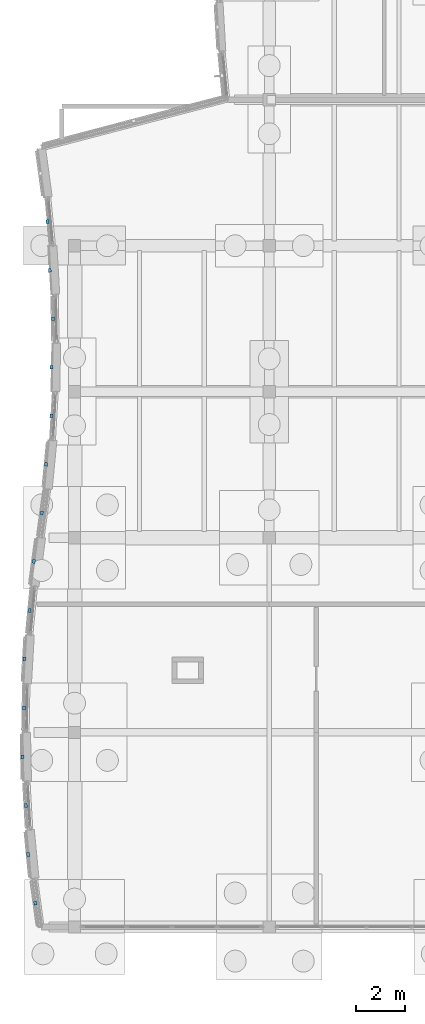
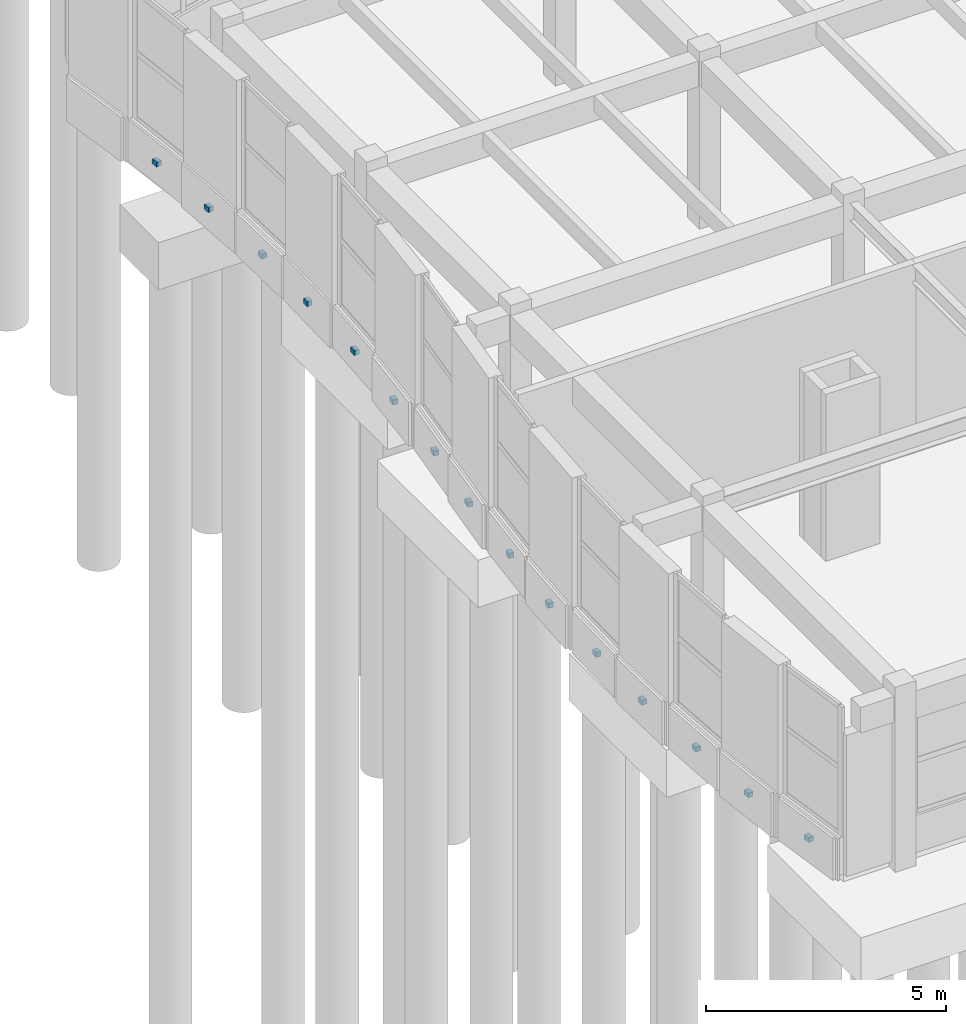
# One storey, part 74 of 99: 15 discrete accessories.
"""IFC4 building model written with IfcOpenShell, lengths in metres."""

import ifcopenshell
import ifcopenshell.guid

model = None  # the IFC model being written
_history = None  # IfcOwnerHistory: only IFC2X3 demands one
_inside = {}  # id of a spatial element -> (the spatial element, [elements in it])
_under = {}  # id of a project, library or spatial element -> (it, [spatial elements below it])
_declared = {}  # id of a project -> (the project, [libraries it declares])
_typed = {}  # id of a type object -> (the type object, [elements of that type])
_made_of = {}  # id of a material, layer set ... -> (it, [elements and type objects made of it])


def new_model(schema):
    """Start an empty IFC model of exactly this schema.

    Asked for "IFC4X3", IfcOpenShell would pick the latest addendum, in which some entities
    have other attributes; the version numbers below select the first issue.
    IFC2X3 requires an IfcOwnerHistory on every rooted entity: one is made here for all.
    """
    global model, _history
    if schema == "IFC4X3":
        model = ifcopenshell.file(schema_version=(4, 3, 0, 0))
    else:
        model = ifcopenshell.file(schema=schema)
    _inside.clear()
    _under.clear()
    _declared.clear()
    _typed.clear()
    _made_of.clear()
    _history = None
    if model.schema == "IFC2X3":
        org = make("IfcOrganization", Name="unknown")
        user = make(
            "IfcPersonAndOrganization",
            ThePerson=make("IfcPerson", FamilyName="unknown"),
            TheOrganization=org,
        )
        app = make(
            "IfcApplication",
            ApplicationDeveloper=org,
            Version="unknown",
            ApplicationFullName="unknown",
            ApplicationIdentifier="unknown",
        )
        _history = make(
            "IfcOwnerHistory",
            OwningUser=user,
            OwningApplication=app,
            ChangeAction="ADDED",
            CreationDate=0,
        )
    return model


def make(cls, **values):
    """One entity of the class cls with the attributes given. An attribute that is None is left unset."""
    return model.create_entity(
        cls, **{name: value for name, value in values.items() if value is not None}
    )


def rooted(cls, **values):
    """An entity with a GlobalId (a new one), such as an element, a storey or a relation."""
    return make(cls, GlobalId=ifcopenshell.guid.new(), OwnerHistory=_history, **values)


def si_unit(unit_type, name, prefix=None):
    """IfcSIUnit, for example si_unit("LENGTHUNIT", "METRE", prefix="MILLI")."""
    return make("IfcSIUnit", UnitType=unit_type, Prefix=prefix, Name=name)


def assignment(units):
    """IfcUnitAssignment: the units of a project."""
    return None if units is None else make("IfcUnitAssignment", Units=units)


def point(xyz):
    """IfcCartesianPoint."""
    return None if xyz is None else make("IfcCartesianPoint", Coordinates=xyz)


def direction(xyz):
    """IfcDirection."""
    return None if xyz is None else make("IfcDirection", DirectionRatios=xyz)


def frame(location, z_axis=None, x_axis=None):
    """IfcAxis2Placement3D, a coordinate frame: its origin and axes. An axis left out is left unset."""
    return make(
        "IfcAxis2Placement3D",
        Location=point(location),
        Axis=direction(z_axis),
        RefDirection=direction(x_axis),
    )


def frame_2d(location, x_axis=None):
    """IfcAxis2Placement2D, a coordinate frame in the plane: its origin and x axis."""
    return make(
        "IfcAxis2Placement2D", Location=point(location), RefDirection=direction(x_axis)
    )


def origin():
    """The frame at (0, 0, 0) with its axes left unset."""
    return frame((0.0, 0.0, 0.0))


def origin_2d():
    """The frame at (0, 0) in the plane with its x axis left unset."""
    return frame_2d((0.0, 0.0))


def place(relative_to, where):
    """IfcLocalPlacement: puts the frame where relative to a parent placement (None: the world)."""
    return make(
        "IfcLocalPlacement", PlacementRelTo=relative_to, RelativePlacement=where
    )


def context(
    kind, dimensions, precision=None, world=None, true_north=None, identifier=None
):
    """IfcGeometricRepresentationContext, for example the 3D "Model" context."""
    return make(
        "IfcGeometricRepresentationContext",
        ContextIdentifier=identifier,
        ContextType=kind,
        CoordinateSpaceDimension=dimensions,
        Precision=precision,
        WorldCoordinateSystem=world,
        TrueNorth=true_north,
    )


def subcontext(parent, identifier, kind, view, scale=None):
    """IfcGeometricRepresentationSubContext, for example "Body" below "Model"."""
    return make(
        "IfcGeometricRepresentationSubContext",
        ContextIdentifier=identifier,
        ContextType=kind,
        ParentContext=parent,
        TargetScale=scale,
        TargetView=view,
    )


def project(units=None, contexts=None):
    """IfcProject with its units and contexts."""
    return rooted(
        "IfcProject",
        Name="project",
        RepresentationContexts=contexts,
        UnitsInContext=assignment(units),
    )


def spatial(cls, under=None, at=None, **own):
    """A site, building, storey or space (cls), placed at a placement, below another one or the project."""
    s = rooted(cls, ObjectPlacement=at, **own)
    if under is not None:
        _under.setdefault(under.id(), (under, []))[1].append(s)
    return s


def profile(cls, at=None, kind="AREA", **sizes):
    """A parametric profile (cls). Its sizes go by their IFC names, for example OverallWidth=200.0."""
    return make(cls, ProfileType=kind, Position=at, **sizes)


def rectangle(**sizes):
    """IfcRectangleProfileDef."""
    return profile("IfcRectangleProfileDef", **sizes)


def extrude(swept, where, along, depth):
    """IfcExtrudedAreaSolid: the profile swept, set in the frame where, extruded along a direction by depth."""
    return make(
        "IfcExtrudedAreaSolid",
        SweptArea=swept,
        Position=where,
        ExtrudedDirection=direction(along),
        Depth=depth,
    )


def shape(context_of_items, identifier, shape_type, items):
    """IfcShapeRepresentation: the items that make up one representation, for example the "Body"."""
    return make(
        "IfcShapeRepresentation",
        ContextOfItems=context_of_items,
        RepresentationIdentifier=identifier,
        RepresentationType=shape_type,
        Items=items,
    )


def material(Name=None, Category=None):
    """IfcMaterial."""
    return make("IfcMaterial", Name=Name, Category=Category)


def made_of(thing, what):
    """Note that an element or type object is made of a material, layer set ...; save() writes the relation."""
    if what is not None:
        _made_of.setdefault(what.id(), (what, []))[1].append(thing)
    return thing


def type_object(cls, material=None, **own):
    """A type object (cls), such as IfcWallType, which elements share."""
    return made_of(rooted(cls, **own), material)


def element(
    cls,
    number,
    at=None,
    inside=None,
    cuts=None,
    type_object=None,
    material=None,
    context=None,
    identifier="Body",
    shape_type=None,
    held_by="IfcProductDefinitionShape",
    body=None,
    shapes=None,
    **own,
):
    """One element of the class cls, such as IfcWall. Its Tag is "e" and its number.

    at: its placement. inside: the storey or other place that contains it. cuts: it is an
    opening in that element (IfcRelVoidsElement). A single representation is given by context,
    identifier, shape_type and body (its items); several are given by shapes. held_by: the class
    of the entity that holds the representations. save() writes the other relations.
    """
    e = rooted(cls, Tag="e%d" % number, ObjectPlacement=at, **own)
    if body is not None:
        shapes = [shape(context, identifier, shape_type, body)]
    if shapes is not None:
        e.Representation = make(held_by, Representations=shapes)
    if inside is not None:
        _inside.setdefault(inside.id(), (inside, []))[1].append(e)
    if cuts is not None:
        rooted(
            "IfcRelVoidsElement", RelatingBuildingElement=cuts, RelatedOpeningElement=e
        )
    if type_object is not None:
        _typed.setdefault(type_object.id(), (type_object, []))[1].append(e)
    return made_of(e, material)


def aggregate(whole, parts):
    """IfcRelAggregates: a whole, such as a stair, and the parts it consists of."""
    return rooted("IfcRelAggregates", RelatingObject=whole, RelatedObjects=parts)


def save(model, path):
    """Write the relations noted so far, then the file.

    IfcRelAggregates (storeys below a building ...), IfcRelContainedInSpatialStructure (elements
    in a storey), IfcRelDefinesByType, IfcRelAssociatesMaterial and IfcRelDeclares: one each for
    every whole, place, type object, material and project.
    """
    for whole, parts in _under.values():
        aggregate(whole, parts)
    for where, things in _inside.values():
        rooted(
            "IfcRelContainedInSpatialStructure",
            RelatedElements=things,
            RelatingStructure=where,
        )
    for kind, things in _typed.values():
        rooted("IfcRelDefinesByType", RelatedObjects=things, RelatingType=kind)
    for what, things in _made_of.values():
        rooted("IfcRelAssociatesMaterial", RelatedObjects=things, RelatingMaterial=what)
    for by, libraries in _declared.values():
        rooted("IfcRelDeclares", RelatingContext=by, RelatedDefinitions=libraries)
    model.write(path)


model = new_model("IFC4")

# Units and contexts
model_context = context("Model", 3, precision=1e-05, world=origin(), true_north=direction((0.0, 1.0)))
body_context = subcontext(model_context, "Body", "Model", "MODEL_VIEW")
ifc_project = project(units=[si_unit("LENGTHUNIT", "METRE"), si_unit("AREAUNIT", "SQUARE_METRE"), si_unit("VOLUMEUNIT", "CUBIC_METRE"), si_unit("PLANEANGLEUNIT", "RADIAN"), si_unit("MASSUNIT", "GRAM", prefix="KILO")], contexts=[model_context])

# Site, building, storey
site_placement = place(None, origin())
site = spatial("IfcSite", under=ifc_project, at=site_placement, CompositionType="ELEMENT")
building_placement = place(site_placement, origin())
building = spatial("IfcBuilding", under=site, at=building_placement, Name="Tonlespit Floodbar School", CompositionType="ELEMENT")
storey_placement = place(building_placement, origin())
storey = spatial("IfcBuildingStorey", under=building, at=storey_placement, Name="L00", CompositionType="ELEMENT", Elevation=0.0)

# Discrete accessories
ifc_material = material(Name="Galvanised Steel", Category="steel")
discrete_accessory_type = type_object("IfcDiscreteAccessoryType", Name="Bracket_Facade_S355", PredefinedType="BRACKET", material=ifc_material)
for number, where, z_axis, x_axis, name in (
    (1, (2.38525390625, 4.982421875, 0.35498046875), (0.0, 0.0, 1.0), (-0.134662424626, 0.990891533617, 0.0), "L00 white band support bracket 0746"),
    (2, (2.092529296875, 6.981689453125, 0.3798828125), (0.0, 0.0, 1.0), (-0.096153248998, 0.995366541887, 0.0), "L00 white band support bracket 0747"),
    (3, (1.997314453125, 8.992431640625, 0.35498046875), (0.0, 0.0, 1.0), (-0.057703421212, 0.998333769428, 0.0), "L00 white band support bracket 0748"),
    (4, (1.860107421875, 10.996337890625, 0.3798828125), (0.0, 0.0, 1.0), (-0.01924630259, 0.999814772764, 0.0), "L00 white band support bracket 0749"),
    (5, (1.920166015625, 13.00244140625, 0.35498046875), (0.0, 0.0, 1.0), (0.01924630259, 0.999814772764, 0.0), "L00 white band support bracket 0750"),
    (6, (1.9375, 15.010986328125, 0.3798828125), (0.0, 0.0, 1.0), (0.057703421212, 0.998333769428, 0.0), "L00 white band support bracket 0751"),
    (7, (2.152099609375, 17.012451171875, 0.35498046875), (0.0, 0.0, 1.0), (0.096153248998, 0.995366541887, 0.0), "L00 white band support bracket 0752"),
    (8, (2.32568359375, 19.025634765625, 0.3798828125), (0.0, 0.0, 1.0), (0.134662424626, 0.990891533617, 0.0), "L00 white band support bracket 0753"),
    (9, (2.656982421875, 21.017578125, 0.35498046875), (0.0, 0.0, 1.0), (0.134662424626, 0.990891533617, 0.0), "L00 white band support bracket 0754"),
    (10, (2.829345703125, 23.018310546875, 0.3798828125), (0.0, 0.0, 1.0), (0.096153248998, 0.995366541887, 0.0), "L00 white band support bracket 0755"),
    (11, (3.04296875, 25.007568359375, 0.35498046875), (0.0, 0.0, 1.0), (0.057703421212, 0.998333769428, 0.0), "L00 white band support bracket 0756"),
    (12, (3.059814453125, 27.003662109375, 0.3798828125), (0.0, 0.0, 1.0), (0.01924630259, 0.999814772764, 0.0), "L00 white band support bracket 0757"),
    (13, (3.119873046875, 28.99755859375, 0.35498046875), (0.0, 0.0, 1.0), (-0.01924630259, 0.999814772764, 0.0), "L00 white band support bracket 0758"),
    (14, (2.983154296875, 30.989013671875, 0.3798828125), (0.0, 0.0, 1.0), (-0.057703421212, 0.998333769428, 0.0), "L00 white band support bracket 0759"),
    (15, (2.888916015625, 32.987548828125, 0.35498046875), (0.0, 0.0, 1.0), (-0.096153248998, 0.995366541887, 0.0), "L00 white band support bracket 0760"),
):
    element("IfcDiscreteAccessory", number, at=place(storey_placement, frame(where, z_axis=z_axis, x_axis=x_axis)), inside=storey, type_object=discrete_accessory_type, Name=name, PredefinedType="BRACKET", context=body_context, shape_type="SweptSolid", body=[
        extrude(rectangle(XDim=0.159912109375, YDim=0.1201171875, at=origin_2d()), origin(), (0.0, 0.0, 1.0), 0.1201171875),
    ])

save(model, "model.ifc")
